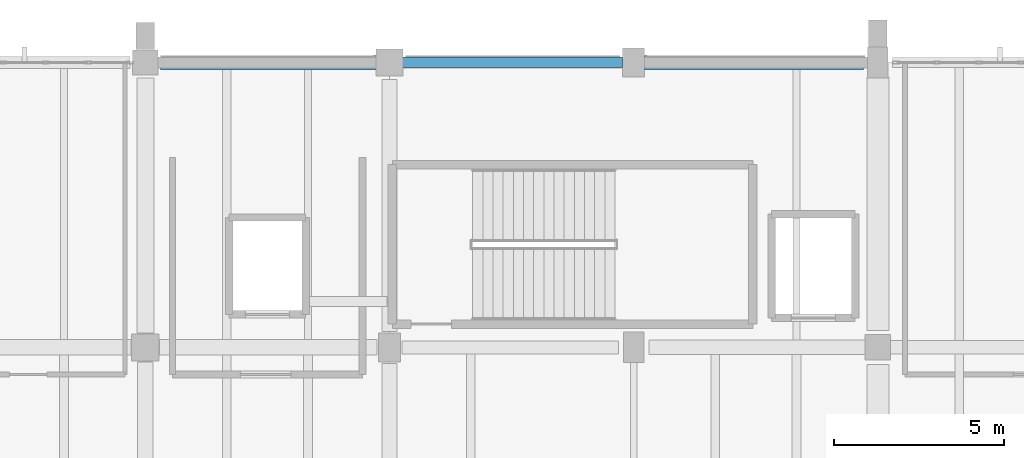
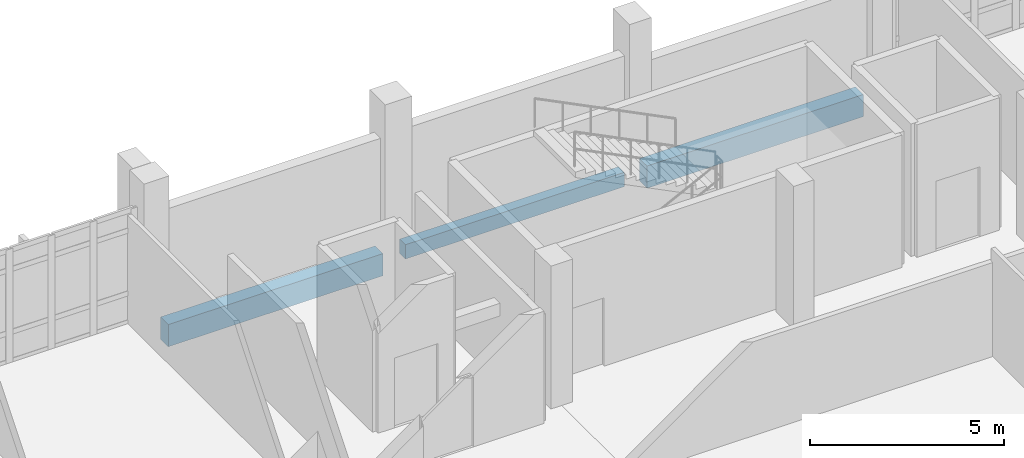
# One storey, part 66 of 124: 3 beams.
"""IFC4 building model written with IfcOpenShell, lengths in metres."""

import ifcopenshell
import ifcopenshell.guid

model = None  # the IFC model being written
_history = None  # IfcOwnerHistory: only IFC2X3 demands one
_inside = {}  # id of a spatial element -> (the spatial element, [elements in it])
_under = {}  # id of a project, library or spatial element -> (it, [spatial elements below it])
_declared = {}  # id of a project -> (the project, [libraries it declares])
_typed = {}  # id of a type object -> (the type object, [elements of that type])
_made_of = {}  # id of a material, layer set ... -> (it, [elements and type objects made of it])


def new_model(schema):
    """Start an empty IFC model of exactly this schema.

    Asked for "IFC4X3", IfcOpenShell would pick the latest addendum, in which some entities
    have other attributes; the version numbers below select the first issue.
    IFC2X3 requires an IfcOwnerHistory on every rooted entity: one is made here for all.
    """
    global model, _history
    if schema == "IFC4X3":
        model = ifcopenshell.file(schema_version=(4, 3, 0, 0))
    else:
        model = ifcopenshell.file(schema=schema)
    _inside.clear()
    _under.clear()
    _declared.clear()
    _typed.clear()
    _made_of.clear()
    _history = None
    if model.schema == "IFC2X3":
        org = make("IfcOrganization", Name="unknown")
        user = make(
            "IfcPersonAndOrganization",
            ThePerson=make("IfcPerson", FamilyName="unknown"),
            TheOrganization=org,
        )
        app = make(
            "IfcApplication",
            ApplicationDeveloper=org,
            Version="unknown",
            ApplicationFullName="unknown",
            ApplicationIdentifier="unknown",
        )
        _history = make(
            "IfcOwnerHistory",
            OwningUser=user,
            OwningApplication=app,
            ChangeAction="ADDED",
            CreationDate=0,
        )
    return model


def make(cls, **values):
    """One entity of the class cls with the attributes given. An attribute that is None is left unset."""
    return model.create_entity(
        cls, **{name: value for name, value in values.items() if value is not None}
    )


def rooted(cls, **values):
    """An entity with a GlobalId (a new one), such as an element, a storey or a relation."""
    return make(cls, GlobalId=ifcopenshell.guid.new(), OwnerHistory=_history, **values)


def si_unit(unit_type, name, prefix=None):
    """IfcSIUnit, for example si_unit("LENGTHUNIT", "METRE", prefix="MILLI")."""
    return make("IfcSIUnit", UnitType=unit_type, Prefix=prefix, Name=name)


def assignment(units):
    """IfcUnitAssignment: the units of a project."""
    return None if units is None else make("IfcUnitAssignment", Units=units)


def point(xyz):
    """IfcCartesianPoint."""
    return None if xyz is None else make("IfcCartesianPoint", Coordinates=xyz)


def direction(xyz):
    """IfcDirection."""
    return None if xyz is None else make("IfcDirection", DirectionRatios=xyz)


def frame(location, z_axis=None, x_axis=None):
    """IfcAxis2Placement3D, a coordinate frame: its origin and axes. An axis left out is left unset."""
    return make(
        "IfcAxis2Placement3D",
        Location=point(location),
        Axis=direction(z_axis),
        RefDirection=direction(x_axis),
    )


def frame_2d(location, x_axis=None):
    """IfcAxis2Placement2D, a coordinate frame in the plane: its origin and x axis."""
    return make(
        "IfcAxis2Placement2D", Location=point(location), RefDirection=direction(x_axis)
    )


def origin():
    """The frame at (0, 0, 0) with its axes left unset."""
    return frame((0.0, 0.0, 0.0))


def origin_2d():
    """The frame at (0, 0) in the plane with its x axis left unset."""
    return frame_2d((0.0, 0.0))


def place(relative_to, where):
    """IfcLocalPlacement: puts the frame where relative to a parent placement (None: the world)."""
    return make(
        "IfcLocalPlacement", PlacementRelTo=relative_to, RelativePlacement=where
    )


def context(
    kind, dimensions, precision=None, world=None, true_north=None, identifier=None
):
    """IfcGeometricRepresentationContext, for example the 3D "Model" context."""
    return make(
        "IfcGeometricRepresentationContext",
        ContextIdentifier=identifier,
        ContextType=kind,
        CoordinateSpaceDimension=dimensions,
        Precision=precision,
        WorldCoordinateSystem=world,
        TrueNorth=true_north,
    )


def subcontext(parent, identifier, kind, view, scale=None):
    """IfcGeometricRepresentationSubContext, for example "Body" below "Model"."""
    return make(
        "IfcGeometricRepresentationSubContext",
        ContextIdentifier=identifier,
        ContextType=kind,
        ParentContext=parent,
        TargetScale=scale,
        TargetView=view,
    )


def project(units=None, contexts=None):
    """IfcProject with its units and contexts."""
    return rooted(
        "IfcProject",
        Name="project",
        RepresentationContexts=contexts,
        UnitsInContext=assignment(units),
    )


def spatial(cls, under=None, at=None, **own):
    """A site, building, storey or space (cls), placed at a placement, below another one or the project."""
    s = rooted(cls, ObjectPlacement=at, **own)
    if under is not None:
        _under.setdefault(under.id(), (under, []))[1].append(s)
    return s


def profile(cls, at=None, kind="AREA", **sizes):
    """A parametric profile (cls). Its sizes go by their IFC names, for example OverallWidth=200.0."""
    return make(cls, ProfileType=kind, Position=at, **sizes)


def rectangle(**sizes):
    """IfcRectangleProfileDef."""
    return profile("IfcRectangleProfileDef", **sizes)


def extrude(swept, where, along, depth):
    """IfcExtrudedAreaSolid: the profile swept, set in the frame where, extruded along a direction by depth."""
    return make(
        "IfcExtrudedAreaSolid",
        SweptArea=swept,
        Position=where,
        ExtrudedDirection=direction(along),
        Depth=depth,
    )


def shape(context_of_items, identifier, shape_type, items):
    """IfcShapeRepresentation: the items that make up one representation, for example the "Body"."""
    return make(
        "IfcShapeRepresentation",
        ContextOfItems=context_of_items,
        RepresentationIdentifier=identifier,
        RepresentationType=shape_type,
        Items=items,
    )


def material(Name=None, Category=None):
    """IfcMaterial."""
    return make("IfcMaterial", Name=Name, Category=Category)


def material_profile(
    of_material, cross_section, Name=None, Category=None, Priority=None
):
    """IfcMaterialProfile: a cross section and its material."""
    return make(
        "IfcMaterialProfile",
        Name=Name,
        Material=of_material,
        Profile=cross_section,
        Priority=Priority,
        Category=Category,
    )


def profile_set(profiles, Name=None, composite=None):
    """IfcMaterialProfileSet."""
    return make(
        "IfcMaterialProfileSet",
        Name=Name,
        MaterialProfiles=profiles,
        CompositeProfile=composite,
    )


def made_of(thing, what):
    """Note that an element or type object is made of a material, layer set ...; save() writes the relation."""
    if what is not None:
        _made_of.setdefault(what.id(), (what, []))[1].append(thing)
    return thing


def type_object(cls, material=None, **own):
    """A type object (cls), such as IfcWallType, which elements share."""
    return made_of(rooted(cls, **own), material)


def element(
    cls,
    number,
    at=None,
    inside=None,
    cuts=None,
    type_object=None,
    material=None,
    context=None,
    identifier="Body",
    shape_type=None,
    held_by="IfcProductDefinitionShape",
    body=None,
    shapes=None,
    **own,
):
    """One element of the class cls, such as IfcWall. Its Tag is "e" and its number.

    at: its placement. inside: the storey or other place that contains it. cuts: it is an
    opening in that element (IfcRelVoidsElement). A single representation is given by context,
    identifier, shape_type and body (its items); several are given by shapes. held_by: the class
    of the entity that holds the representations. save() writes the other relations.
    """
    e = rooted(cls, Tag="e%d" % number, ObjectPlacement=at, **own)
    if body is not None:
        shapes = [shape(context, identifier, shape_type, body)]
    if shapes is not None:
        e.Representation = make(held_by, Representations=shapes)
    if inside is not None:
        _inside.setdefault(inside.id(), (inside, []))[1].append(e)
    if cuts is not None:
        rooted(
            "IfcRelVoidsElement", RelatingBuildingElement=cuts, RelatedOpeningElement=e
        )
    if type_object is not None:
        _typed.setdefault(type_object.id(), (type_object, []))[1].append(e)
    return made_of(e, material)


def aggregate(whole, parts):
    """IfcRelAggregates: a whole, such as a stair, and the parts it consists of."""
    return rooted("IfcRelAggregates", RelatingObject=whole, RelatedObjects=parts)


def save(model, path):
    """Write the relations noted so far, then the file.

    IfcRelAggregates (storeys below a building ...), IfcRelContainedInSpatialStructure (elements
    in a storey), IfcRelDefinesByType, IfcRelAssociatesMaterial and IfcRelDeclares: one each for
    every whole, place, type object, material and project.
    """
    for whole, parts in _under.values():
        aggregate(whole, parts)
    for where, things in _inside.values():
        rooted(
            "IfcRelContainedInSpatialStructure",
            RelatedElements=things,
            RelatingStructure=where,
        )
    for kind, things in _typed.values():
        rooted("IfcRelDefinesByType", RelatedObjects=things, RelatingType=kind)
    for what, things in _made_of.values():
        rooted("IfcRelAssociatesMaterial", RelatedObjects=things, RelatingMaterial=what)
    for by, libraries in _declared.values():
        rooted("IfcRelDeclares", RelatingContext=by, RelatedDefinitions=libraries)
    model.write(path)


model = new_model("IFC4")

# Units and contexts
model_context = context("Model", 3, precision=1e-05, world=origin(), true_north=direction((0.0, 1.0)))
body_context = subcontext(model_context, "Body", "Model", "MODEL_VIEW")
ifc_project = project(units=[si_unit("LENGTHUNIT", "METRE"), si_unit("AREAUNIT", "SQUARE_METRE"), si_unit("VOLUMEUNIT", "CUBIC_METRE"), si_unit("PLANEANGLEUNIT", "RADIAN"), si_unit("MASSUNIT", "GRAM", prefix="KILO")], contexts=[model_context])

# Site, building, storey
site_placement = place(None, origin())
site = spatial("IfcSite", under=ifc_project, at=site_placement, CompositionType="ELEMENT")
building_placement = place(site_placement, origin())
building = spatial("IfcBuilding", under=site, at=building_placement, Name="Kalluvel Institute of Natural Sciences", CompositionType="ELEMENT")
storey_placement = place(building_placement, frame((0.0, 0.0, 9.89990234375)))
storey = spatial("IfcBuildingStorey", under=building, at=storey_placement, Name="L02", CompositionType="ELEMENT", Elevation=9.89990234375)

# Beams
ifc_material = material(Name="Concrete M40", Category="concrete")
ifc_material_profile_1 = material_profile(ifc_material, rectangle(XDim=0.300048828125, YDim=0.449951171875, at=origin_2d()), Name="RCB 300x450")
ifc_profile_set_1 = profile_set([ifc_material_profile_1], Name="Concrete M40")
beam_type_1 = type_object("IfcBeamType", Name="SP-RC300x450", PredefinedType="SPANDREL", material=ifc_profile_set_1)
beam_1_placement = place(storey_placement, frame((64.75, 128.0, -0.544921875), z_axis=(1.0, 0.0, 0.0), x_axis=(0.0, 1.0, 0.0)))
element("IfcBeam", 1, at=beam_1_placement, inside=storey, type_object=beam_type_1, Name="L02 girder GIR-L02-EW-X644-Y1280", PredefinedType="SPANDREL", context=body_context, shape_type="SweptSolid", body=[
    extrude(rectangle(XDim=0.300048828125, YDim=0.449951171875, at=origin_2d()), origin(), (0.0, 0.0, 1.0), 6.52490234375),
])
ifc_material_profile_2 = material_profile(ifc_material, rectangle(XDim=0.39990234375, YDim=0.699951171875, at=origin_2d()), Name="RCB 400x700")
ifc_profile_set_2 = profile_set([ifc_material_profile_2], Name="Concrete M40")
beam_type_2 = type_object("IfcBeamType", Name="SP-RC400x700", PredefinedType="SPANDREL", material=ifc_profile_set_2)
beam_2_placement = place(storey_placement, frame((57.64990234375, 128.0, -0.669921875), z_axis=(1.0, 0.0, 0.0), x_axis=(0.0, 1.0, 0.0)))
element("IfcBeam", 2, at=beam_2_placement, inside=storey, type_object=beam_type_2, Name="L02 girder GIR-L02-EW-X572-Y1280", PredefinedType="SPANDREL", context=body_context, shape_type="SweptSolid", body=[
    extrude(rectangle(XDim=0.39990234375, YDim=0.699951171875, at=origin_2d()), origin(), (0.0, 0.0, 1.0), 6.400146484375),
])
beam_3_placement = place(storey_placement, frame((71.925048828125, 128.0, -0.669921875), z_axis=(1.0, 0.0, 0.0), x_axis=(0.0, 1.0, 0.0)))
element("IfcBeam", 3, at=beam_3_placement, inside=storey, type_object=beam_type_2, Name="L02 girder GIR-L02-EW-X716-Y1280", PredefinedType="SPANDREL", context=body_context, shape_type="SweptSolid", body=[
    extrude(rectangle(XDim=0.39990234375, YDim=0.699951171875, at=origin_2d()), origin(), (0.0, 0.0, 1.0), 6.449951171875),
])

save(model, "model.ifc")
